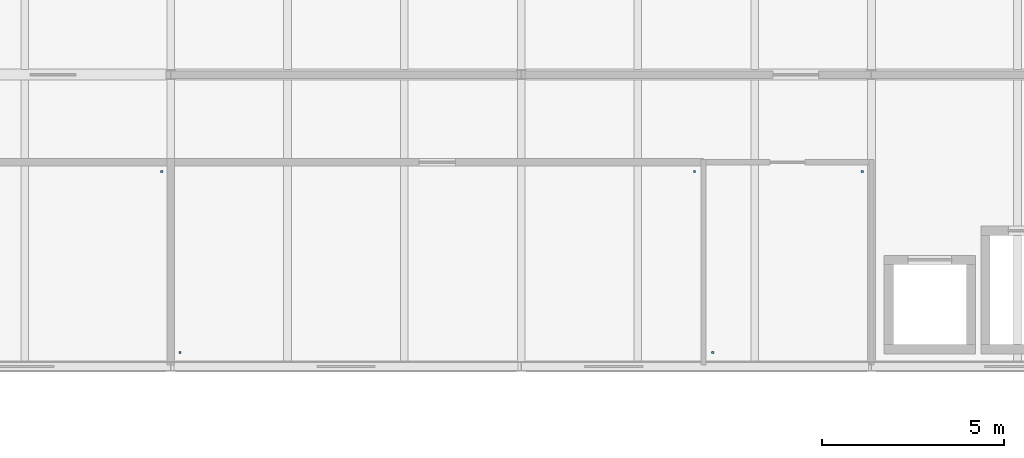
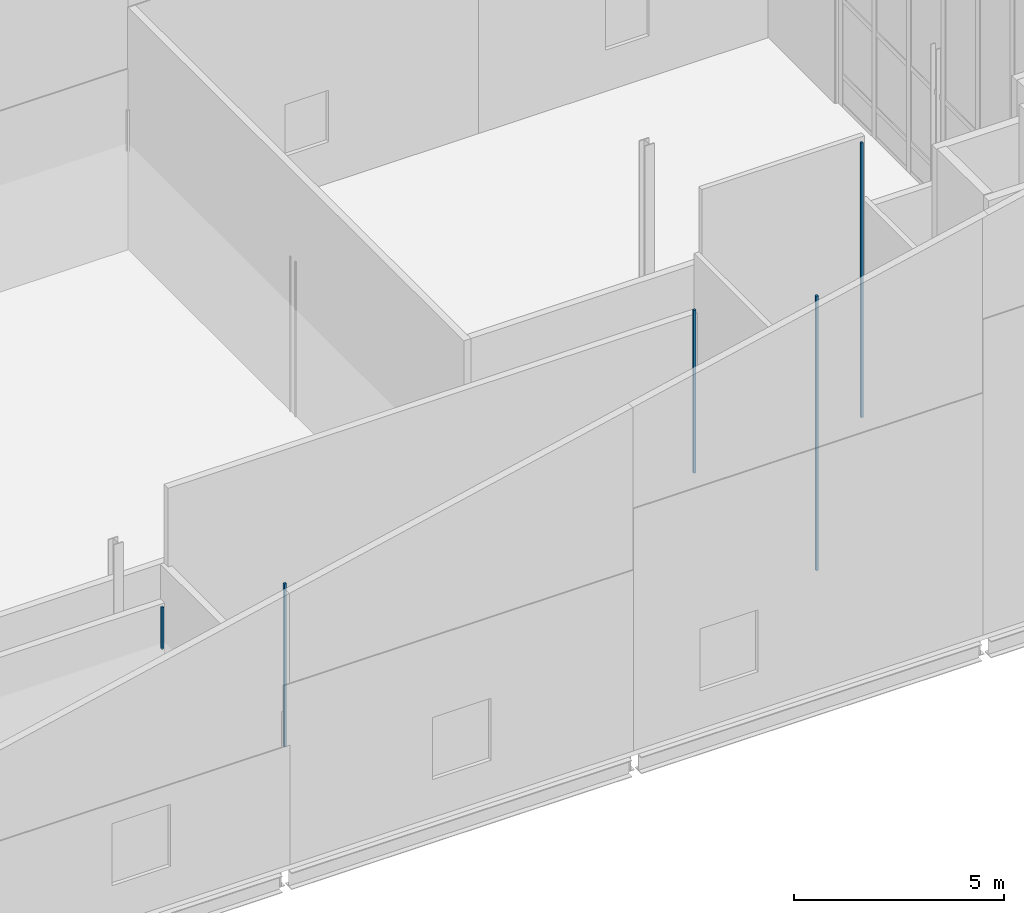
# One storey, part 47 of 59: 5 discrete accessories.
"""IFC4 building model written with IfcOpenShell, lengths in metres."""

import ifcopenshell
import ifcopenshell.guid

model = None  # the IFC model being written
_history = None  # IfcOwnerHistory: only IFC2X3 demands one
_inside = {}  # id of a spatial element -> (the spatial element, [elements in it])
_under = {}  # id of a project, library or spatial element -> (it, [spatial elements below it])
_declared = {}  # id of a project -> (the project, [libraries it declares])
_typed = {}  # id of a type object -> (the type object, [elements of that type])
_made_of = {}  # id of a material, layer set ... -> (it, [elements and type objects made of it])


def new_model(schema):
    """Start an empty IFC model of exactly this schema.

    Asked for "IFC4X3", IfcOpenShell would pick the latest addendum, in which some entities
    have other attributes; the version numbers below select the first issue.
    IFC2X3 requires an IfcOwnerHistory on every rooted entity: one is made here for all.
    """
    global model, _history
    if schema == "IFC4X3":
        model = ifcopenshell.file(schema_version=(4, 3, 0, 0))
    else:
        model = ifcopenshell.file(schema=schema)
    _inside.clear()
    _under.clear()
    _declared.clear()
    _typed.clear()
    _made_of.clear()
    _history = None
    if model.schema == "IFC2X3":
        org = make("IfcOrganization", Name="unknown")
        user = make(
            "IfcPersonAndOrganization",
            ThePerson=make("IfcPerson", FamilyName="unknown"),
            TheOrganization=org,
        )
        app = make(
            "IfcApplication",
            ApplicationDeveloper=org,
            Version="unknown",
            ApplicationFullName="unknown",
            ApplicationIdentifier="unknown",
        )
        _history = make(
            "IfcOwnerHistory",
            OwningUser=user,
            OwningApplication=app,
            ChangeAction="ADDED",
            CreationDate=0,
        )
    return model


def make(cls, **values):
    """One entity of the class cls with the attributes given. An attribute that is None is left unset."""
    return model.create_entity(
        cls, **{name: value for name, value in values.items() if value is not None}
    )


def rooted(cls, **values):
    """An entity with a GlobalId (a new one), such as an element, a storey or a relation."""
    return make(cls, GlobalId=ifcopenshell.guid.new(), OwnerHistory=_history, **values)


def si_unit(unit_type, name, prefix=None):
    """IfcSIUnit, for example si_unit("LENGTHUNIT", "METRE", prefix="MILLI")."""
    return make("IfcSIUnit", UnitType=unit_type, Prefix=prefix, Name=name)


def assignment(units):
    """IfcUnitAssignment: the units of a project."""
    return None if units is None else make("IfcUnitAssignment", Units=units)


def point(xyz):
    """IfcCartesianPoint."""
    return None if xyz is None else make("IfcCartesianPoint", Coordinates=xyz)


def direction(xyz):
    """IfcDirection."""
    return None if xyz is None else make("IfcDirection", DirectionRatios=xyz)


def frame(location, z_axis=None, x_axis=None):
    """IfcAxis2Placement3D, a coordinate frame: its origin and axes. An axis left out is left unset."""
    return make(
        "IfcAxis2Placement3D",
        Location=point(location),
        Axis=direction(z_axis),
        RefDirection=direction(x_axis),
    )


def origin():
    """The frame at (0, 0, 0) with its axes left unset."""
    return frame((0.0, 0.0, 0.0))


def place(relative_to, where):
    """IfcLocalPlacement: puts the frame where relative to a parent placement (None: the world)."""
    return make(
        "IfcLocalPlacement", PlacementRelTo=relative_to, RelativePlacement=where
    )


def context(
    kind, dimensions, precision=None, world=None, true_north=None, identifier=None
):
    """IfcGeometricRepresentationContext, for example the 3D "Model" context."""
    return make(
        "IfcGeometricRepresentationContext",
        ContextIdentifier=identifier,
        ContextType=kind,
        CoordinateSpaceDimension=dimensions,
        Precision=precision,
        WorldCoordinateSystem=world,
        TrueNorth=true_north,
    )


def subcontext(parent, identifier, kind, view, scale=None):
    """IfcGeometricRepresentationSubContext, for example "Body" below "Model"."""
    return make(
        "IfcGeometricRepresentationSubContext",
        ContextIdentifier=identifier,
        ContextType=kind,
        ParentContext=parent,
        TargetScale=scale,
        TargetView=view,
    )


def project(units=None, contexts=None):
    """IfcProject with its units and contexts."""
    return rooted(
        "IfcProject",
        Name="project",
        RepresentationContexts=contexts,
        UnitsInContext=assignment(units),
    )


def spatial(cls, under=None, at=None, **own):
    """A site, building, storey or space (cls), placed at a placement, below another one or the project."""
    s = rooted(cls, ObjectPlacement=at, **own)
    if under is not None:
        _under.setdefault(under.id(), (under, []))[1].append(s)
    return s


def polyline(points):
    """IfcPolyline through the points."""
    return make("IfcPolyline", Points=[point(p) for p in points])


def outline(outer, holes=None, kind="AREA"):
    """IfcArbitraryClosedProfileDef: a profile drawn as a closed curve; with holes, ...WithVoids."""
    if holes is None:
        return make("IfcArbitraryClosedProfileDef", ProfileType=kind, OuterCurve=outer)
    return make(
        "IfcArbitraryProfileDefWithVoids",
        ProfileType=kind,
        OuterCurve=outer,
        InnerCurves=holes,
    )


def extrude(swept, where, along, depth):
    """IfcExtrudedAreaSolid: the profile swept, set in the frame where, extruded along a direction by depth."""
    return make(
        "IfcExtrudedAreaSolid",
        SweptArea=swept,
        Position=where,
        ExtrudedDirection=direction(along),
        Depth=depth,
    )


def shape(context_of_items, identifier, shape_type, items):
    """IfcShapeRepresentation: the items that make up one representation, for example the "Body"."""
    return make(
        "IfcShapeRepresentation",
        ContextOfItems=context_of_items,
        RepresentationIdentifier=identifier,
        RepresentationType=shape_type,
        Items=items,
    )


def material(Name=None, Category=None):
    """IfcMaterial."""
    return make("IfcMaterial", Name=Name, Category=Category)


def made_of(thing, what):
    """Note that an element or type object is made of a material, layer set ...; save() writes the relation."""
    if what is not None:
        _made_of.setdefault(what.id(), (what, []))[1].append(thing)
    return thing


def type_object(cls, material=None, **own):
    """A type object (cls), such as IfcWallType, which elements share."""
    return made_of(rooted(cls, **own), material)


def element(
    cls,
    number,
    at=None,
    inside=None,
    cuts=None,
    type_object=None,
    material=None,
    context=None,
    identifier="Body",
    shape_type=None,
    held_by="IfcProductDefinitionShape",
    body=None,
    shapes=None,
    **own,
):
    """One element of the class cls, such as IfcWall. Its Tag is "e" and its number.

    at: its placement. inside: the storey or other place that contains it. cuts: it is an
    opening in that element (IfcRelVoidsElement). A single representation is given by context,
    identifier, shape_type and body (its items); several are given by shapes. held_by: the class
    of the entity that holds the representations. save() writes the other relations.
    """
    e = rooted(cls, Tag="e%d" % number, ObjectPlacement=at, **own)
    if body is not None:
        shapes = [shape(context, identifier, shape_type, body)]
    if shapes is not None:
        e.Representation = make(held_by, Representations=shapes)
    if inside is not None:
        _inside.setdefault(inside.id(), (inside, []))[1].append(e)
    if cuts is not None:
        rooted(
            "IfcRelVoidsElement", RelatingBuildingElement=cuts, RelatedOpeningElement=e
        )
    if type_object is not None:
        _typed.setdefault(type_object.id(), (type_object, []))[1].append(e)
    return made_of(e, material)


def aggregate(whole, parts):
    """IfcRelAggregates: a whole, such as a stair, and the parts it consists of."""
    return rooted("IfcRelAggregates", RelatingObject=whole, RelatedObjects=parts)


def save(model, path):
    """Write the relations noted so far, then the file.

    IfcRelAggregates (storeys below a building ...), IfcRelContainedInSpatialStructure (elements
    in a storey), IfcRelDefinesByType, IfcRelAssociatesMaterial and IfcRelDeclares: one each for
    every whole, place, type object, material and project.
    """
    for whole, parts in _under.values():
        aggregate(whole, parts)
    for where, things in _inside.values():
        rooted(
            "IfcRelContainedInSpatialStructure",
            RelatedElements=things,
            RelatingStructure=where,
        )
    for kind, things in _typed.values():
        rooted("IfcRelDefinesByType", RelatedObjects=things, RelatingType=kind)
    for what, things in _made_of.values():
        rooted("IfcRelAssociatesMaterial", RelatedObjects=things, RelatingMaterial=what)
    for by, libraries in _declared.values():
        rooted("IfcRelDeclares", RelatingContext=by, RelatedDefinitions=libraries)
    model.write(path)


model = new_model("IFC4")

# Units and contexts
model_context = context("Model", 3, precision=1e-05, world=origin(), true_north=direction((0.0, 1.0)))
body_context = subcontext(model_context, "Body", "Model", "MODEL_VIEW")
ifc_project = project(units=[si_unit("LENGTHUNIT", "METRE"), si_unit("AREAUNIT", "SQUARE_METRE"), si_unit("VOLUMEUNIT", "CUBIC_METRE"), si_unit("PLANEANGLEUNIT", "RADIAN"), si_unit("MASSUNIT", "GRAM", prefix="KILO")], contexts=[model_context])

# Site, building, storey
site_placement = place(None, origin())
site = spatial("IfcSite", under=ifc_project, at=site_placement, CompositionType="ELEMENT")
building_placement = place(site_placement, origin())
building = spatial("IfcBuilding", under=site, at=building_placement, Name="Dunescarp Central Library", CompositionType="ELEMENT")
storey_placement = place(building_placement, frame((0.0, 0.0, 18.60009765625)))
storey = spatial("IfcBuildingStorey", under=building, at=storey_placement, Name="L04", CompositionType="ELEMENT", Elevation=18.60009765625)

# Discrete accessories
ifc_material = material(Name="Stainless steel Grade 316L", Category="steel")
discrete_accessory_type = type_object("IfcDiscreteAccessoryType", Name="ARC-ACC-BRK", PredefinedType="BRACKET", material=ifc_material)
discrete_accessory_1_placement = place(storey_placement, frame((0.0, 0.0, 3.059814453125)))
element("IfcDiscreteAccessory", 1, at=discrete_accessory_1_placement, inside=storey, type_object=discrete_accessory_type, Name="L04 ceiling hanger CLG-L04-109-H1", PredefinedType="BRACKET", context=body_context, shape_type="SweptSolid", body=[
    extrude(outline(polyline([(112.419921875, 5.159912109375), (112.47998046875, 5.159912109375), (112.47998046875, 5.219970703125), (112.419921875, 5.219970703125), (112.419921875, 5.159912109375)])), origin(), (0.0, 0.0, 1.0), 7.97509765625),
])
discrete_accessory_2_placement = place(storey_placement, frame((0.0, 0.0, 3.059814453125)))
element("IfcDiscreteAccessory", 2, at=discrete_accessory_2_placement, inside=storey, type_object=discrete_accessory_type, Name="L04 ceiling hanger CLG-L04-109-H2", PredefinedType="BRACKET", context=body_context, shape_type="SweptSolid", body=[
    extrude(outline(polyline([(116.52001953125, 10.1201171875), (116.580078125, 10.1201171875), (116.580078125, 10.179931640625), (116.52001953125, 10.179931640625), (116.52001953125, 10.1201171875)])), origin(), (0.0, 0.0, 1.0), 7.97509765625),
])
discrete_accessory_3_placement = place(storey_placement, frame((0.0, 0.0, 3.059814453125)))
element("IfcDiscreteAccessory", 3, at=discrete_accessory_3_placement, inside=storey, type_object=discrete_accessory_type, Name="L04 ceiling hanger CLG-L04-110-H2", PredefinedType="BRACKET", context=body_context, shape_type="SweptSolid", body=[
    extrude(outline(polyline([(97.320068359375, 10.1201171875), (97.3798828125, 10.1201171875), (97.3798828125, 10.179931640625), (97.320068359375, 10.179931640625), (97.320068359375, 10.1201171875)])), origin(), (0.0, 0.0, 1.0), 1.2060546875),
])
discrete_accessory_4_placement = place(storey_placement, frame((0.0, 0.0, 3.059814453125)))
element("IfcDiscreteAccessory", 4, at=discrete_accessory_4_placement, inside=storey, type_object=discrete_accessory_type, Name="L04 ceiling hanger CLG-L04-111-H1", PredefinedType="BRACKET", context=body_context, shape_type="SweptSolid", body=[
    extrude(outline(polyline([(97.820068359375, 5.159912109375), (97.8798828125, 5.159912109375), (97.8798828125, 5.219970703125), (97.820068359375, 5.219970703125), (97.820068359375, 5.159912109375)])), origin(), (0.0, 0.0, 1.0), 4.72998046875),
])
discrete_accessory_5_placement = place(storey_placement, frame((0.0, 0.0, 3.059814453125)))
element("IfcDiscreteAccessory", 5, at=discrete_accessory_5_placement, inside=storey, type_object=discrete_accessory_type, Name="L04 ceiling hanger CLG-L04-111-H2", PredefinedType="BRACKET", context=body_context, shape_type="SweptSolid", body=[
    extrude(outline(polyline([(111.919921875, 10.1201171875), (111.97998046875, 10.1201171875), (111.97998046875, 10.179931640625), (111.919921875, 10.179931640625), (111.919921875, 10.1201171875)])), origin(), (0.0, 0.0, 1.0), 4.72998046875),
])

save(model, "model.ifc")
